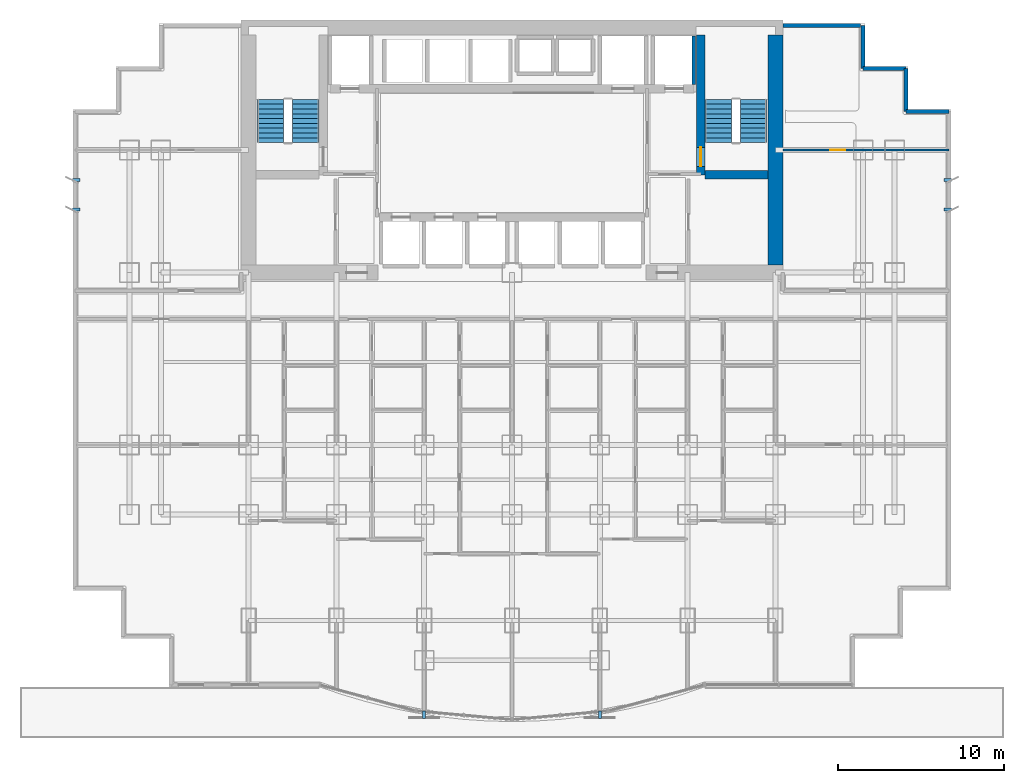
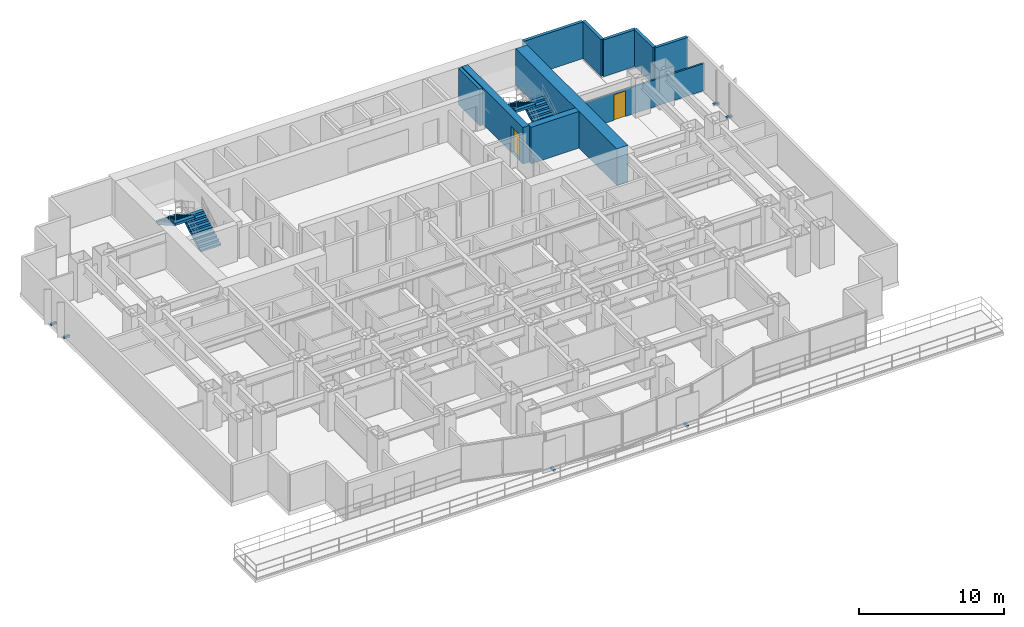
# One storey, part 8 of 11: 10 walls, 6 discrete accessories, 4 stair flights, 2 doors, 2 openings, 2 elements without a shape of their own.
"""IFC4 building model written with IfcOpenShell, lengths in metres."""

from ifc_helpers import new_model, si_unit, direction, frame, frame_2d, origin, origin_2d, place, context, subcontext, project, spatial, polyline, rectangle, outline, extrude, source, transform, mapped, material, layer, layer_set, type_object, element, fill, aggregate, save


model = new_model("IFC4")

# Units and contexts
model_context = context("Model", 3, precision=1e-05, world=origin(), true_north=direction((0.0, 1.0)))
body_context = subcontext(model_context, "Body", "Model", "MODEL_VIEW")
ifc_project = project(units=[si_unit("LENGTHUNIT", "METRE"), si_unit("AREAUNIT", "SQUARE_METRE"), si_unit("VOLUMEUNIT", "CUBIC_METRE"), si_unit("PLANEANGLEUNIT", "RADIAN"), si_unit("MASSUNIT", "GRAM", prefix="KILO")], contexts=[model_context])

# Site, building, storey
site_placement = place(None, origin())
site = spatial("IfcSite", under=ifc_project, at=site_placement, CompositionType="ELEMENT")
building_placement = place(site_placement, origin())
building = spatial("IfcBuilding", under=site, at=building_placement, Name="Qianlan Lanfeng Residences", CompositionType="ELEMENT")
storey_placement = place(building_placement, frame((0.0, 0.0, 24.199951171875)))
storey = spatial("IfcBuildingStorey", under=building, at=storey_placement, Name="L05", CompositionType="ELEMENT", Elevation=24.199951171875)

# Wall, opening, door
ifc_material_1 = material(Name="Concrete C70", Category="concrete")
ifc_layer_1 = layer(ifc_material_1, 0.5)
ifc_layer_set_1 = layer_set([ifc_layer_1], Name="Concrete C70")
wall_type_1 = type_object("IfcWallType", Name="CW-RC-500", PredefinedType="SHEAR", material=ifc_layer_set_1)
wall_1_placement = place(storey_placement, frame((37.89990234375, 31.10009765625, 0.0), z_axis=(0.0, 0.0, 1.0), x_axis=(0.0, 1.0, 0.0)))
wall_1 = element("IfcWall", 1, at=wall_1_placement, inside=storey, type_object=wall_type_1, Name="L05 Core Shear Wall ST2W", PredefinedType="SHEAR", context=body_context, shape_type="SweptSolid", body=[
    extrude(rectangle(XDim=8.449951171875, YDim=0.5, at=frame_2d((4.22509765625, 0.0))), origin(), (0.0, 0.0, 1.0), 3.080078125),
])
opening_1_placement = place(wall_1_placement, frame((0.510009765625, 0.0, 0.0)))
opening_1 = element("IfcOpeningElement", 2, at=opening_1_placement, cuts=wall_1, Name="Opening L05-D08", PredefinedType="OPENING", context=body_context, shape_type="SweptSolid", body=[
    extrude(rectangle(XDim=1.14990234375, YDim=2.199951171875, at=frame_2d((0.574951171875, 1.10009765625))), frame((0.0, 0.260009765625, 0.0), z_axis=(0.0, -1.0, 0.0), x_axis=(1.0, 0.0, 0.0)), (0.0, 0.0, 1.0), 0.52001953125),
])
ifc_material_2 = material(Name="Painted Galvanised Steel Fire Door", Category="steel")
door_type_1 = type_object("IfcDoorType", Name="DT-ST1", OperationType="NOTDEFINED", PredefinedType="DOOR", material=ifc_material_2)
door_1_placement = place(opening_1_placement, origin())
door_1 = element("IfcDoor", 3, at=door_1_placement, inside=storey, type_object=door_type_1, Name="L05 Exit Stair ST-2 Door L05-D08 (DT-ST1)", OperationType="SINGLE_SWING_RIGHT", OverallHeight=2.199951171875, OverallWidth=1.14990234375, PredefinedType="DOOR", context=body_context, shape_type="SweptSolid", body=[
    extrude(rectangle(XDim=1.14990234375, YDim=2.199951171875, at=frame_2d((0.574951171875, 1.10009765625))), frame((0.0, 0.02490234375, 0.0), z_axis=(0.0, -1.0, 0.0), x_axis=(1.0, 0.0, 0.0)), (0.0, 0.0, 1.0), 0.050048828125),
])
fill(opening_1, door_1)

# Walls
wall_2_placement = place(storey_placement, frame((38.14990234375, 31.10009765625, 0.0), z_axis=(0.0, 0.0, 1.0), x_axis=(1.0, 0.0, 0.0)))
element("IfcWall", 4, at=wall_2_placement, inside=storey, type_object=wall_type_1, Name="L05 Core Shear Wall ST2S", PredefinedType="SHEAR", context=body_context, shape_type="SweptSolid", body=[
    extrude(rectangle(XDim=3.800048828125, YDim=0.5, at=frame_2d((1.89990234375, 0.0))), origin(), (0.0, 0.0, 1.0), 3.080078125),
])
ifc_layer_2 = layer(ifc_material_1, 0.89990234375)
ifc_layer_set_2 = layer_set([ifc_layer_2], Name="Concrete C70")
wall_type_2 = type_object("IfcWallType", Name="CW-RC-900", PredefinedType="SHEAR", material=ifc_layer_set_2)
wall_3_placement = place(storey_placement, frame((42.39990234375, 25.64990234375, 0.0), z_axis=(0.0, 0.0, 1.0), x_axis=(0.0, 1.0, 0.0)))
element("IfcWall", 5, at=wall_3_placement, inside=storey, type_object=wall_type_2, Name="L05 Core Shear Wall E", PredefinedType="SHEAR", context=body_context, shape_type="SweptSolid", body=[
    extrude(rectangle(XDim=13.900146484375, YDim=0.89990234375, at=frame_2d((6.9501953125, 0.0))), origin(), (0.0, 0.0, 1.0), 3.080078125),
])
ifc_material_3 = material(Name="Concrete C42", Category="concrete")
ifc_layer_3 = layer(ifc_material_3, 0.239990234375)
ifc_layer_set_3 = layer_set([ifc_layer_3], Name="Concrete C42")
wall_type_3 = type_object("IfcWallType", Name="EW-240", PredefinedType="SOLIDWALL", material=ifc_layer_set_3)
wall_4_placement = place(storey_placement, frame((52.8798828125, 34.929931640625, 0.0), z_axis=(0.0, 0.0, 1.0), x_axis=(-1.0, 0.0, 0.0)))
element("IfcWall", 6, at=wall_4_placement, inside=storey, type_object=wall_type_3, Name="L05 Exterior Facade Spandrel Wall 11", PredefinedType="SOLIDWALL", context=body_context, shape_type="SweptSolid", body=[
    extrude(rectangle(XDim=2.599853515625, YDim=0.239990234375, at=frame_2d((1.2998046875, 0.0))), origin(), (0.0, 0.0, 1.0), 3.080078125),
])
for number, where, z_axis, x_axis, name in (
    (7, (50.280029296875, 34.929931640625, 0.0), (0.0, 0.0, 1.0), (0.0, 1.0, 0.0), "L05 Exterior Facade Spandrel Wall 12"),
    (8, (50.280029296875, 37.530029296875, 0.0), (0.0, 0.0, 1.0), (-1.0, 0.0, 0.0), "L05 Exterior Facade Spandrel Wall 13"),
):
    element("IfcWall", number, at=place(storey_placement, frame(where, z_axis=z_axis, x_axis=x_axis)), inside=storey, type_object=wall_type_3, Name=name, PredefinedType="SOLIDWALL", context=body_context, shape_type="SweptSolid", body=[
        extrude(rectangle(XDim=2.60009765625, YDim=0.239990234375, at=frame_2d((1.300048828125, 0.0))), origin(), (0.0, 0.0, 1.0), 3.080078125),
    ])
wall_5_placement = place(storey_placement, frame((47.679931640625, 37.530029296875, 0.0), z_axis=(0.0, 0.0, 1.0), x_axis=(0.0, 1.0, 0.0)))
element("IfcWall", 9, at=wall_5_placement, inside=storey, type_object=wall_type_3, Name="L05 Exterior Facade Spandrel Wall 14", PredefinedType="SOLIDWALL", context=body_context, shape_type="SweptSolid", body=[
    extrude(rectangle(XDim=2.599853515625, YDim=0.239990234375, at=frame_2d((1.2998046875, 0.0))), origin(), (0.0, 0.0, 1.0), 3.080078125),
])
wall_6_placement = place(storey_placement, frame((47.550048828125, 40.1298828125, 0.0), z_axis=(0.0, 0.0, 1.0), x_axis=(-1.0, 0.0, 0.0)))
element("IfcWall", 10, at=wall_6_placement, inside=storey, type_object=wall_type_3, Name="L05 North Wing Exterior Wall E", PredefinedType="SOLIDWALL", context=body_context, shape_type="SweptSolid", body=[
    extrude(rectangle(XDim=4.699951171875, YDim=0.239990234375, at=frame_2d((2.35009765625, 0.0))), origin(), (0.0, 0.0, 1.0), 3.080078125),
])

# Wall, opening, door
ifc_material_4 = material(Name="Moisture-Resistant Gypsum Partition 135 mm")
ifc_layer_4 = layer(ifc_material_4, 0.135009765625)
ifc_layer_set_4 = layer_set([ifc_layer_4], Name="Moisture-Resistant Gypsum Partition 135 mm")
wall_type_4 = type_object("IfcWallType", Name="PW-135", PredefinedType="PARTITIONING", material=ifc_layer_set_4)
wall_7_placement = place(storey_placement, frame((42.85009765625, 32.60009765625, 0.0), z_axis=(0.0, 0.0, 1.0), x_axis=(1.0, 0.0, 0.0)))
wall_7 = element("IfcWall", 11, at=wall_7_placement, inside=storey, type_object=wall_type_4, Name="L05 EW North Wing Wall", PredefinedType="PARTITIONING", context=body_context, shape_type="SweptSolid", body=[
    extrude(rectangle(XDim=10.02978515625, YDim=0.135009765625, at=frame_2d((5.014892578125, 0.0))), origin(), (0.0, 0.0, 1.0), 2.275146484375),
])
opening_2_placement = place(wall_7_placement, frame((2.85498046875, 0.0, 0.0)))
opening_2 = element("IfcOpeningElement", 12, at=opening_2_placement, cuts=wall_7, Name="Opening L05-D49", PredefinedType="OPENING", context=body_context, shape_type="SweptSolid", body=[
    extrude(rectangle(XDim=0.919921875, YDim=2.14990234375, at=frame_2d((0.4599609375, 1.074951171875))), frame((0.0, 0.07763671875, 0.0), z_axis=(0.0, -1.0, 0.0), x_axis=(1.0, 0.0, 0.0)), (0.0, 0.0, 1.0), 0.155029296875),
])
ifc_material_5 = material(Name="Glazed Timber Kitchen/Study Door", Category="wood")
door_type_2 = type_object("IfcDoorType", Name="DT-INT", OperationType="NOTDEFINED", PredefinedType="DOOR", material=ifc_material_5)
door_2_placement = place(opening_2_placement, origin())
door_2 = element("IfcDoor", 13, at=door_2_placement, inside=storey, type_object=door_type_2, Name="L05 EW Inner Salon Door L05-D49 (DT-INT)", OperationType="SINGLE_SWING_LEFT", OverallHeight=2.14990234375, OverallWidth=0.919921875, PredefinedType="DOOR", context=body_context, shape_type="SweptSolid", body=[
    extrude(rectangle(XDim=0.919921875, YDim=2.14990234375, at=frame_2d((0.4599609375, 1.074951171875))), frame((0.0, 0.02490234375, 0.0), z_axis=(0.0, -1.0, 0.0), x_axis=(1.0, 0.0, 0.0)), (0.0, 0.0, 1.0), 0.050048828125),
])
fill(opening_2, door_2)

# Wall
ifc_material_6 = material(Name="Concrete C49", Category="concrete")
ifc_layer_5 = layer(ifc_material_6, 0.219970703125)
ifc_layer_set_5 = layer_set([ifc_layer_5], Name="Concrete C49")
wall_type_5 = type_object("IfcWallType", Name="SHW-220", PredefinedType="SOLIDWALL", material=ifc_layer_set_5)
wall_8_placement = place(storey_placement, frame((37.47998046875, 36.550048828125, 0.0), z_axis=(0.0, 0.0, 1.0), x_axis=(0.0, 1.0, 0.0)))
element("IfcWall", 14, at=wall_8_placement, inside=storey, type_object=wall_type_5, Name="L05 Lift FFL-2 Shaft Wall E", PredefinedType="SOLIDWALL", context=body_context, shape_type="SweptSolid", body=[
    extrude(rectangle(XDim=2.929931640625, YDim=0.219970703125, at=frame_2d((1.46484375, 0.0))), origin(), (0.0, 0.0, 1.0), 3.080078125),
])

# Stair, stair flights
stair_type = type_object("IfcStairType", Name="STR-MAIN", PredefinedType="HALF_TURN_STAIR", material=ifc_material_3)
stair_1_placement = place(storey_placement, origin())
stair_1 = element("IfcStair", 15, at=stair_1_placement, inside=storey, type_object=stair_type, Name="L05 Exit Stair ST-1", PredefinedType="HALF_TURN_STAIR")
stair_flight_type = type_object("IfcStairFlightType", Name="FLT-1720", PredefinedType="STRAIGHT", material=ifc_material_3)
stair_flight_1_placement = place(storey_placement, frame((14.02001953125, 33.050048828125, 0.0), z_axis=(0.0, 0.0, 1.0), x_axis=(0.0, 1.0, 0.0)))
stair_flight_1 = element("IfcStairFlight", 16, at=stair_flight_1_placement, type_object=stair_flight_type, Name="ST-1 flight 1", NumberOfRisers=10, NumberOfTreads=9, PredefinedType="STRAIGHT", RiserHeight=0.165, TreadLength=0.29, context=body_context, shape_type="SweptSolid", body=[
    extrude(outline(polyline([(0.0, 0.0), (0.0, 0.1650390625), (0.2900390625, 0.1650390625), (0.2900390625, 0.330078125), (0.580078125, 0.330078125), (0.580078125, 0.4951171875), (0.8701171875, 0.4951171875), (0.8701171875, 0.659912109375), (1.159912109375, 0.659912109375), (1.159912109375, 0.824951171875), (1.449951171875, 0.824951171875), (1.449951171875, 0.989990234375), (1.739990234375, 0.989990234375), (1.739990234375, 1.155029296875), (2.030029296875, 1.155029296875), (2.030029296875, 1.320068359375), (2.320068359375, 1.320068359375), (2.320068359375, 1.485107421875), (2.610107421875, 1.485107421875), (2.610107421875, 1.64990234375), (2.610107421875, 1.278076171875), (0.36376953125, 0.0), (0.0, 0.0)])), frame((0.0, 0.800048828125, 0.0), z_axis=(0.0, -1.0, 0.0), x_axis=(1.0, 0.0, 0.0)), (0.0, 0.0, 1.0), 1.60009765625),
])
stair_flight_2_placement = place(storey_placement, frame((11.93994140625, 35.659912109375, 1.650146484375), z_axis=(0.0, 0.0, 1.0), x_axis=(0.0, -1.0, 0.0)))
stair_flight_2 = element("IfcStairFlight", 17, at=stair_flight_2_placement, type_object=stair_flight_type, Name="ST-1 flight 2", NumberOfRisers=10, NumberOfTreads=9, PredefinedType="STRAIGHT", RiserHeight=0.165, TreadLength=0.29, context=body_context, shape_type="SweptSolid", body=[
    extrude(outline(polyline([(0.0, 0.0), (0.0, 0.1650390625), (0.2900390625, 0.1650390625), (0.2900390625, 0.330078125), (0.580078125, 0.330078125), (0.580078125, 0.4951171875), (0.8701171875, 0.4951171875), (0.8701171875, 0.659912109375), (1.159912109375, 0.659912109375), (1.159912109375, 0.824951171875), (1.449951171875, 0.824951171875), (1.449951171875, 0.989990234375), (1.739990234375, 0.989990234375), (1.739990234375, 1.155029296875), (2.030029296875, 1.155029296875), (2.030029296875, 1.320068359375), (2.320068359375, 1.320068359375), (2.320068359375, 1.485107421875), (2.610107421875, 1.485107421875), (2.610107421875, 1.64990234375), (2.610107421875, 1.278076171875), (0.36376953125, 0.0), (0.0, 0.0)])), frame((0.0, 0.800048828125, 0.0), z_axis=(0.0, -1.0, 0.0), x_axis=(1.0, 0.0, 0.0)), (0.0, 0.0, 1.0), 1.60009765625),
])
aggregate(stair_1, [stair_flight_1, stair_flight_2])

stair_2_placement = place(storey_placement, origin())
stair_2 = element("IfcStair", 18, at=stair_2_placement, inside=storey, type_object=stair_type, Name="L05 Exit Stair ST-2", PredefinedType="HALF_TURN_STAIR")
stair_flight_3_placement = place(storey_placement, frame((41.06005859375, 33.050048828125, 0.0), z_axis=(0.0, 0.0, 1.0), x_axis=(0.0, 1.0, 0.0)))
stair_flight_3 = element("IfcStairFlight", 19, at=stair_flight_3_placement, type_object=stair_flight_type, Name="ST-2 flight 1", NumberOfRisers=10, NumberOfTreads=9, PredefinedType="STRAIGHT", RiserHeight=0.165, TreadLength=0.29, context=body_context, shape_type="SweptSolid", body=[
    extrude(outline(polyline([(0.0, 0.0), (0.0, 0.1650390625), (0.2900390625, 0.1650390625), (0.2900390625, 0.330078125), (0.580078125, 0.330078125), (0.580078125, 0.4951171875), (0.8701171875, 0.4951171875), (0.8701171875, 0.659912109375), (1.159912109375, 0.659912109375), (1.159912109375, 0.824951171875), (1.449951171875, 0.824951171875), (1.449951171875, 0.989990234375), (1.739990234375, 0.989990234375), (1.739990234375, 1.155029296875), (2.030029296875, 1.155029296875), (2.030029296875, 1.320068359375), (2.320068359375, 1.320068359375), (2.320068359375, 1.485107421875), (2.610107421875, 1.485107421875), (2.610107421875, 1.64990234375), (2.610107421875, 1.278076171875), (0.36376953125, 0.0), (0.0, 0.0)])), frame((0.0, 0.800048828125, 0.0), z_axis=(0.0, -1.0, 0.0), x_axis=(1.0, 0.0, 0.0)), (0.0, 0.0, 1.0), 1.60009765625),
])
stair_flight_4_placement = place(storey_placement, frame((38.97998046875, 35.659912109375, 1.650146484375), z_axis=(0.0, 0.0, 1.0), x_axis=(0.0, -1.0, 0.0)))
stair_flight_4 = element("IfcStairFlight", 20, at=stair_flight_4_placement, type_object=stair_flight_type, Name="ST-2 flight 2", NumberOfRisers=10, NumberOfTreads=9, PredefinedType="STRAIGHT", RiserHeight=0.165, TreadLength=0.29, context=body_context, shape_type="SweptSolid", body=[
    extrude(outline(polyline([(0.0, 0.0), (0.0, 0.1650390625), (0.2900390625, 0.1650390625), (0.2900390625, 0.330078125), (0.580078125, 0.330078125), (0.580078125, 0.4951171875), (0.8701171875, 0.4951171875), (0.8701171875, 0.659912109375), (1.159912109375, 0.659912109375), (1.159912109375, 0.824951171875), (1.449951171875, 0.824951171875), (1.449951171875, 0.989990234375), (1.739990234375, 0.989990234375), (1.739990234375, 1.155029296875), (2.030029296875, 1.155029296875), (2.030029296875, 1.320068359375), (2.320068359375, 1.320068359375), (2.320068359375, 1.485107421875), (2.610107421875, 1.485107421875), (2.610107421875, 1.64990234375), (2.610107421875, 1.278076171875), (0.36376953125, 0.0), (0.0, 0.0)])), frame((0.0, 0.800048828125, 0.0), z_axis=(0.0, -1.0, 0.0), x_axis=(1.0, 0.0, 0.0)), (0.0, 0.0, 1.0), 1.60009765625),
])
aggregate(stair_2, [stair_flight_3, stair_flight_4])

# Discrete accessories
ifc_material_7 = material(Name="Stainless Steel Facade Bracket", Category="steel")
discrete_accessory_type = type_object("IfcDiscreteAccessoryType", Name="BRK-SS-350", PredefinedType="BRACKET", material=ifc_material_7)
shared_shape_1 = source(origin(), body_context, "Body", "SweptSolid", [
    extrude(rectangle(XDim=0.179931640625, YDim=0.449951171875, at=origin_2d()), origin(), (0.0, 0.0, 1.0), 0.179931640625),
])
for number, where, z_axis, x_axis, name in (
    (21, (21.199951171875, -1.5, -0.14990234375), (0.0, 0.0, 1.0), (1.0, 0.0, 0.0), "L05 Solar Screen Support Bracket 1"),
    (22, (31.800048828125, -1.5, -0.14990234375), (0.0, 0.0, 1.0), (1.0, 0.0, 0.0), "L05 Solar Screen Support Bracket 2"),
):
    element("IfcDiscreteAccessory", number, at=place(storey_placement, frame(where, z_axis=z_axis, x_axis=x_axis)), inside=storey, type_object=discrete_accessory_type, Name=name, PredefinedType="BRACKET", context=body_context, shape_type="MappedRepresentation", body=[
        mapped(shared_shape_1, transform((0.0, 0.0, 0.0), scale=1.0)),
    ])
shared_shape_2 = source(origin(), body_context, "Body", "SweptSolid", [
    extrude(rectangle(XDim=0.449951171875, YDim=0.179931640625, at=origin_2d()), origin(), (0.0, 0.0, 1.0), 0.179931640625),
])
for number, where, z_axis, x_axis, name in (
    (23, (0.199951171875, 29.0, -0.14990234375), (0.0, 0.0, 1.0), (1.0, 0.0, 0.0), "L05 Raked Solar Fin Support Bracket W1"),
    (24, (0.199951171875, 30.800048828125, -0.14990234375), (0.0, 0.0, 1.0), (1.0, 0.0, 0.0), "L05 Raked Solar Fin Support Bracket W2"),
    (25, (52.800048828125, 29.0, -0.14990234375), (0.0, 0.0, 1.0), (1.0, 0.0, 0.0), "L05 Raked Solar Fin Support Bracket E1"),
    (26, (52.800048828125, 30.800048828125, -0.14990234375), (0.0, 0.0, 1.0), (1.0, 0.0, 0.0), "L05 Raked Solar Fin Support Bracket E2"),
):
    element("IfcDiscreteAccessory", number, at=place(storey_placement, frame(where, z_axis=z_axis, x_axis=x_axis)), inside=storey, type_object=discrete_accessory_type, Name=name, PredefinedType="BRACKET", context=body_context, shape_type="MappedRepresentation", body=[
        mapped(shared_shape_2, transform((0.0, 0.0, 0.0), scale=1.0)),
    ])

save(model, "model.ifc")
